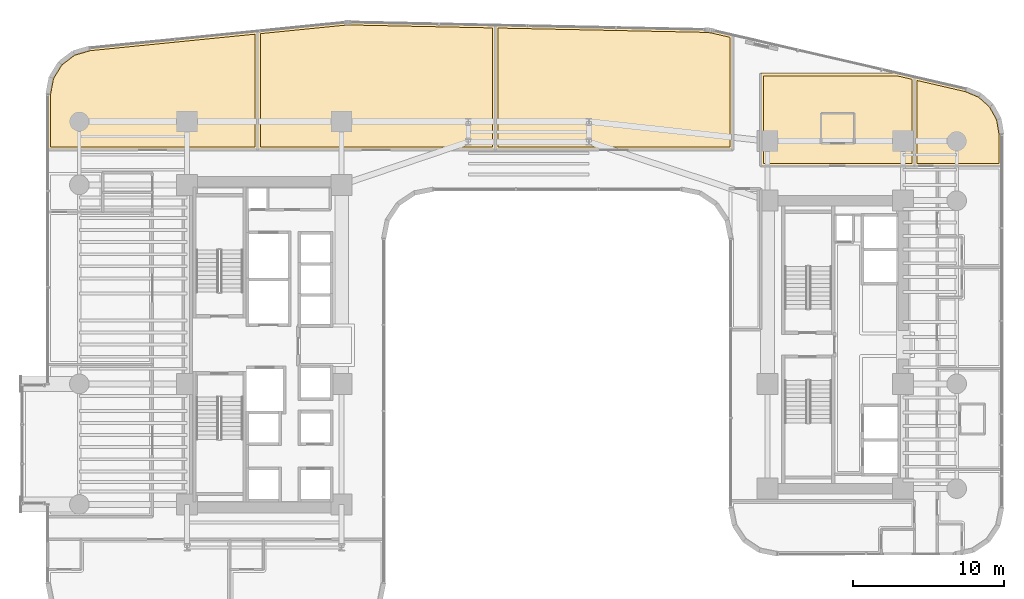
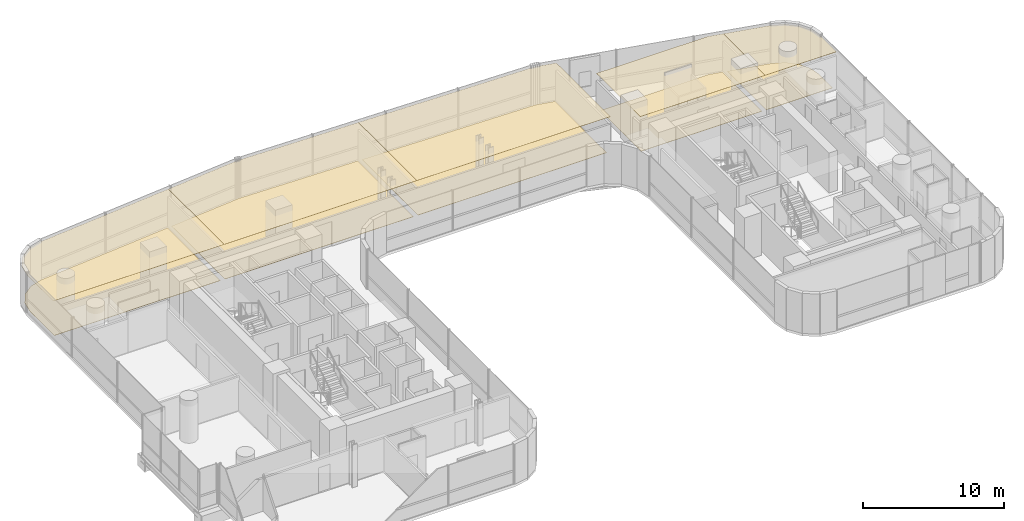
# One storey, part 40 of 40: 10 coverings.
"""IFC4 building model written with IfcOpenShell, lengths in metres."""

from ifc_helpers import new_model, si_unit, direction, frame, origin, place, context, subcontext, project, spatial, polyline, outline, extrude, material, layer, layer_set, type_object, element, save


model = new_model("IFC4")

# Units and contexts
model_context = context("Model", 3, precision=1e-05, world=origin(), true_north=direction((0.0, 1.0)))
body_context = subcontext(model_context, "Body", "Model", "MODEL_VIEW")
ifc_project = project(units=[si_unit("LENGTHUNIT", "METRE"), si_unit("AREAUNIT", "SQUARE_METRE"), si_unit("VOLUMEUNIT", "CUBIC_METRE"), si_unit("PLANEANGLEUNIT", "RADIAN"), si_unit("MASSUNIT", "GRAM", prefix="KILO")], contexts=[model_context])

# Site, building, storey
site_placement = place(None, origin())
site = spatial("IfcSite", under=ifc_project, at=site_placement, CompositionType="ELEMENT")
building_placement = place(site_placement, origin())
building = spatial("IfcBuilding", under=site, at=building_placement, Name="Valdorenza Pilgrim Sanctuary Tower", CompositionType="ELEMENT")
storey_placement = place(building_placement, frame((0.0, 0.0, 66.699951171875)))
storey = spatial("IfcBuildingStorey", under=building, at=storey_placement, Name="L16", CompositionType="ELEMENT", Elevation=66.699951171875)

# Coverings
ifc_material_1 = material(Name="Micro-perforated acoustic mineral ceiling tile", Category="gypsum")
ifc_layer_1 = layer(ifc_material_1, 0.02490234375, Name="Micro-perforated acoustic mineral ceiling tile")
ifc_layer_set_1 = layer_set([ifc_layer_1], Name="Micro-perforated acoustic mineral ceiling tile")
covering_type_1 = type_object("IfcCoveringType", Name="COV-CLG-ACU", PredefinedType="CEILING", material=ifc_layer_set_1)
covering_1_placement = place(storey_placement, frame((0.0, 0.0, 3.16015625)))
element("IfcCovering", 1, at=covering_1_placement, inside=storey, type_object=covering_type_1, Name="L16 Sacred Art Exhibition Gallery L16-NG1 Acoustic Ceiling", PredefinedType="CEILING", context=body_context, shape_type="SweptSolid", body=[
    extrude(outline(polyline([(-31.889892578125, 12.905029296875), (-31.8916015625, 12.905029296875), (-31.892822265625, 12.9052734375), (-31.894287109375, 12.905517578125), (-31.895751953125, 12.906005859375), (-31.897216796875, 12.90673828125), (-31.898193359375, 12.907470703125), (-31.8994140625, 12.908447265625), (-31.900634765625, 12.909423828125), (-31.901611328125, 12.910400390625), (-31.902587890625, 12.91162109375), (-31.9033203125, 12.912841796875), (-31.90380859375, 12.914306640625), (-31.904296875, 12.91552734375), (-31.90478515625, 12.9169921875), (-31.90478515625, 12.91845703125), (-31.905029296875, 12.919921875), (-31.905029296875, 16.593994140625), (-31.90478515625, 16.59521484375), (-31.90478515625, 16.5966796875), (-31.6962890625, 17.717041015625), (-31.696044921875, 17.718505859375), (-31.695556640625, 17.7197265625), (-31.695068359375, 17.720947265625), (-31.6943359375, 17.72216796875), (-31.102294921875, 18.68408203125), (-31.1015625, 18.685302734375), (-31.100830078125, 18.686279296875), (-31.099853515625, 18.687255859375), (-31.0986328125, 18.688232421875), (-30.20068359375, 19.372802734375), (-30.199462890625, 19.37353515625), (-30.1982421875, 19.374267578125), (-30.197021484375, 19.374755859375), (-30.19580078125, 19.375244140625), (-29.1015625, 19.694091796875), (-29.10009765625, 19.694580078125), (-29.098876953125, 19.694580078125), (-17.978271484375, 20.806640625), (-17.976806640625, 20.806884765625), (-17.97509765625, 20.806640625), (-17.973876953125, 20.806396484375), (-17.972412109375, 20.80615234375), (-17.970947265625, 20.8056640625), (-17.969482421875, 20.804931640625), (-17.968505859375, 20.80419921875), (-17.96728515625, 20.803466796875), (-17.966064453125, 20.802490234375), (-17.965087890625, 20.80126953125), (-17.964111328125, 20.800048828125), (-17.96337890625, 20.798828125), (-17.962890625, 20.797607421875), (-17.96240234375, 20.796142578125), (-17.9619140625, 20.794677734375), (-17.9619140625, 20.793212890625), (-17.961669921875, 20.791748046875), (-17.961669921875, 12.919921875), (-17.9619140625, 12.91845703125), (-17.9619140625, 12.9169921875), (-17.96240234375, 12.91552734375), (-17.962890625, 12.914306640625), (-17.96337890625, 12.912841796875), (-17.964111328125, 12.91162109375), (-17.965087890625, 12.910400390625), (-17.966064453125, 12.909423828125), (-17.96728515625, 12.908447265625), (-17.968505859375, 12.907470703125), (-17.969482421875, 12.90673828125), (-17.970947265625, 12.906005859375), (-17.972412109375, 12.905517578125), (-17.973876953125, 12.9052734375), (-17.97509765625, 12.905029296875), (-17.976806640625, 12.905029296875), (-31.889892578125, 12.905029296875)])), origin(), (0.0, 0.0, 1.0), 0.02490234375),
])
covering_2_placement = place(storey_placement, frame((0.0, 0.0, 3.16015625)))
element("IfcCovering", 2, at=covering_2_placement, inside=storey, type_object=covering_type_1, Name="L16 Sacred Art Exhibition Gallery L16-NG2 Acoustic Ceiling", PredefinedType="CEILING", context=body_context, shape_type="SweptSolid", body=[
    extrude(outline(polyline([(-17.98974609375, 20.791748046875), (-17.98974609375, 20.792724609375), (-17.989501953125, 20.794189453125), (-17.9892578125, 20.7958984375), (-17.98876953125, 20.79736328125), (-17.98828125, 20.798583984375), (-17.9873046875, 20.800048828125), (-17.986572265625, 20.80126953125), (-17.985595703125, 20.802490234375), (-17.984375, 20.803466796875), (-17.983154296875, 20.80419921875), (-17.98193359375, 20.80517578125), (-17.980712890625, 20.805908203125), (-17.979248046875, 20.806396484375), (-17.977783203125, 20.806640625), (-17.976318359375, 20.806884765625), (-12.18359375, 21.38623046875), (-12.183349609375, 21.38623046875), (-12.089599609375, 21.39404296875), (-12.089111328125, 21.39404296875), (-11.996337890625, 21.399169921875), (-11.995849609375, 21.3994140625), (-11.902587890625, 21.401611328125), (-11.90234375, 21.401611328125), (-11.808349609375, 21.40087890625), (-11.80810546875, 21.40087890625), (-2.212890625, 21.201171875), (-2.21142578125, 21.200927734375), (-2.210205078125, 21.20068359375), (-2.208740234375, 21.200439453125), (-2.207275390625, 21.199951171875), (-2.2060546875, 21.19921875), (-2.204833984375, 21.198486328125), (-2.20361328125, 21.197509765625), (-2.20263671875, 21.196533203125), (-2.20166015625, 21.195556640625), (-2.20068359375, 21.1943359375), (-2.199951171875, 21.193115234375), (-2.199462890625, 21.19189453125), (-2.198974609375, 21.1904296875), (-2.198486328125, 21.18896484375), (-2.198486328125, 21.1875), (-2.1982421875, 21.18603515625), (-2.1982421875, 12.919921875), (-2.198486328125, 12.91845703125), (-2.198486328125, 12.9169921875), (-2.198974609375, 12.91552734375), (-2.199462890625, 12.914306640625), (-2.2001953125, 12.912841796875), (-2.20068359375, 12.91162109375), (-2.20166015625, 12.910400390625), (-2.20263671875, 12.909423828125), (-2.203857421875, 12.908447265625), (-2.205078125, 12.907470703125), (-2.206298828125, 12.90673828125), (-2.20751953125, 12.906005859375), (-2.208984375, 12.905517578125), (-2.21044921875, 12.9052734375), (-2.2119140625, 12.905029296875), (-2.21337890625, 12.905029296875), (-17.974609375, 12.905029296875), (-17.976318359375, 12.905029296875), (-17.9775390625, 12.9052734375), (-17.97900390625, 12.905517578125), (-17.98046875, 12.906005859375), (-17.981689453125, 12.90673828125), (-17.98291015625, 12.907470703125), (-17.984130859375, 12.908447265625), (-17.9853515625, 12.909423828125), (-17.986328125, 12.910400390625), (-17.9873046875, 12.91162109375), (-17.98779296875, 12.912841796875), (-17.988525390625, 12.914306640625), (-17.989013671875, 12.91552734375), (-17.989501953125, 12.9169921875), (-17.989501953125, 12.91845703125), (-17.98974609375, 12.919921875), (-17.98974609375, 20.791748046875), (-17.98974609375, 20.791748046875)])), origin(), (0.0, 0.0, 1.0), 0.02490234375),
])
covering_3_placement = place(storey_placement, frame((0.0, 0.0, 3.16015625)))
element("IfcCovering", 3, at=covering_3_placement, inside=storey, type_object=covering_type_1, Name="L16 Sacred Art Exhibition Gallery L16-NG3 Acoustic Ceiling", PredefinedType="CEILING", context=body_context, shape_type="SweptSolid", body=[
    extrude(outline(polyline([(-2.211181640625, 12.905029296875), (-2.212890625, 12.905029296875), (-2.214111328125, 12.9052734375), (-2.2158203125, 12.905517578125), (-2.217041015625, 12.906005859375), (-2.218505859375, 12.90673828125), (-2.219482421875, 12.907470703125), (-2.220703125, 12.908447265625), (-2.221923828125, 12.909423828125), (-2.222900390625, 12.910400390625), (-2.223876953125, 12.91162109375), (-2.224609375, 12.912841796875), (-2.22509765625, 12.914306640625), (-2.2255859375, 12.91552734375), (-2.22607421875, 12.9169921875), (-2.226318359375, 12.91845703125), (-2.226318359375, 12.919921875), (-2.226318359375, 21.18603515625), (-2.226318359375, 21.1875), (-2.22607421875, 21.18896484375), (-2.2255859375, 21.1904296875), (-2.22509765625, 21.19189453125), (-2.224609375, 21.193115234375), (-2.2236328125, 21.194580078125), (-2.222900390625, 21.19580078125), (-2.2216796875, 21.19677734375), (-2.220703125, 21.19775390625), (-2.219482421875, 21.198486328125), (-2.21826171875, 21.199462890625), (-2.216796875, 21.199951171875), (-2.21533203125, 21.200439453125), (-2.214111328125, 21.20068359375), (-2.21240234375, 21.200927734375), (-2.2109375, 21.201171875), (11.666015625, 20.912109375), (11.66650390625, 20.911865234375), (11.82666015625, 20.904296875), (11.827392578125, 20.904296875), (11.98583984375, 20.888916015625), (11.986572265625, 20.888671875), (12.143798828125, 20.864990234375), (12.14453125, 20.864990234375), (12.302001953125, 20.832763671875), (12.30224609375, 20.832763671875), (13.553466796875, 20.5439453125), (13.5546875, 20.543701171875), (13.55615234375, 20.543212890625), (13.557373046875, 20.54248046875), (13.55859375, 20.541748046875), (13.559814453125, 20.540771484375), (13.560791015625, 20.539794921875), (13.561767578125, 20.538818359375), (13.5625, 20.53759765625), (13.563232421875, 20.536376953125), (13.56396484375, 20.534912109375), (13.564453125, 20.53369140625), (13.564697265625, 20.5322265625), (13.56494140625, 20.53076171875), (13.56494140625, 20.529296875), (13.56494140625, 12.919921875), (13.56494140625, 12.91845703125), (13.564697265625, 12.9169921875), (13.564453125, 12.91552734375), (13.56396484375, 12.914306640625), (13.563232421875, 12.912841796875), (13.5625, 12.91162109375), (13.5615234375, 12.910400390625), (13.560546875, 12.909423828125), (13.5595703125, 12.908447265625), (13.558349609375, 12.907470703125), (13.55712890625, 12.90673828125), (13.5556640625, 12.906005859375), (13.554443359375, 12.905517578125), (13.552978515625, 12.9052734375), (13.551513671875, 12.905029296875), (13.550048828125, 12.905029296875), (-2.211181640625, 12.905029296875)])), origin(), (0.0, 0.0, 1.0), 0.02490234375),
])
covering_4_placement = place(storey_placement, frame((0.0, 0.0, 3.16015625)))
element("IfcCovering", 4, at=covering_4_placement, inside=storey, type_object=covering_type_1, Name="L16 East North Guest Room L16-EN1 Acoustic Ceiling", PredefinedType="CEILING", context=body_context, shape_type="SweptSolid", body=[
    extrude(outline(polyline([(24.5107421875, 18.014892578125), (24.512451171875, 18.014892578125), (24.51416015625, 18.0146484375), (25.603515625, 17.76318359375), (25.604736328125, 17.762939453125), (25.606201171875, 17.76220703125), (25.607421875, 17.76171875), (25.608642578125, 17.760986328125), (25.609619140625, 17.760009765625), (25.61083984375, 17.759033203125), (25.61181640625, 17.758056640625), (25.612548828125, 17.7568359375), (25.61328125, 17.755615234375), (25.614013671875, 17.75439453125), (25.614501953125, 17.7529296875), (25.61474609375, 17.75146484375), (25.614990234375, 17.75), (25.614990234375, 17.74853515625), (25.614990234375, 11.85009765625), (25.614990234375, 11.848388671875), (25.61474609375, 11.84716796875), (25.614501953125, 11.845703125), (25.614013671875, 11.84423828125), (25.61328125, 11.843017578125), (25.612548828125, 11.841796875), (25.611572265625, 11.840576171875), (25.610595703125, 11.83935546875), (25.609619140625, 11.83837890625), (25.6083984375, 11.83740234375), (25.607177734375, 11.8369140625), (25.605712890625, 11.836181640625), (25.6044921875, 11.835693359375), (25.602783203125, 11.835205078125), (25.6015625, 11.835205078125), (25.60009765625, 11.8349609375), (15.39990234375, 11.8349609375), (15.3984375, 11.835205078125), (15.397216796875, 11.835205078125), (15.3955078125, 11.835693359375), (15.394287109375, 11.836181640625), (15.392822265625, 11.8369140625), (15.3916015625, 11.83740234375), (15.390380859375, 11.83837890625), (15.389404296875, 11.83935546875), (15.388427734375, 11.840576171875), (15.387451171875, 11.841796875), (15.38671875, 11.843017578125), (15.385986328125, 11.84423828125), (15.385498046875, 11.845703125), (15.38525390625, 11.84716796875), (15.385009765625, 11.848388671875), (15.385009765625, 11.85009765625), (15.385009765625, 18.0), (15.385009765625, 18.00146484375), (15.38525390625, 18.0029296875), (15.385498046875, 18.00439453125), (15.385986328125, 18.005615234375), (15.38671875, 18.007080078125), (15.387451171875, 18.00830078125), (15.388427734375, 18.009521484375), (15.389404296875, 18.010498046875), (15.390380859375, 18.01171875), (15.3916015625, 18.012451171875), (15.392822265625, 18.01318359375), (15.394287109375, 18.013916015625), (15.3955078125, 18.014404296875), (15.397216796875, 18.0146484375), (15.3984375, 18.014892578125), (15.39990234375, 18.014892578125), (24.5107421875, 18.014892578125)])), origin(), (0.0, 0.0, 1.0), 0.02490234375),
])
covering_5_placement = place(storey_placement, frame((0.0, 0.0, 3.16015625)))
element("IfcCovering", 5, at=covering_5_placement, inside=storey, type_object=covering_type_1, Name="L16 East Wing Reference Library L16-BNE Acoustic Ceiling", PredefinedType="CEILING", context=body_context, shape_type="SweptSolid", body=[
    extrude(outline(polyline([(28.9892578125, 16.98193359375), (28.990478515625, 16.981689453125), (28.99169921875, 16.981201171875), (29.95361328125, 16.580322265625), (29.955078125, 16.57958984375), (29.95654296875, 16.57861328125), (29.9580078125, 16.57763671875), (30.72705078125, 15.88818359375), (30.728271484375, 15.886962890625), (30.729248046875, 15.8857421875), (30.72998046875, 15.88427734375), (31.22900390625, 14.97998046875), (31.2294921875, 14.978271484375), (31.230224609375, 14.976806640625), (31.230712890625, 14.97509765625), (31.40478515625, 13.947509765625), (31.40478515625, 13.9462890625), (31.405029296875, 13.945068359375), (31.405029296875, 11.85009765625), (31.40478515625, 11.848388671875), (31.40478515625, 11.84716796875), (31.404296875, 11.845703125), (31.40380859375, 11.84423828125), (31.4033203125, 11.843017578125), (31.402587890625, 11.841796875), (31.401611328125, 11.840576171875), (31.400634765625, 11.83935546875), (31.3994140625, 11.83837890625), (31.398193359375, 11.83740234375), (31.397216796875, 11.8369140625), (31.395751953125, 11.836181640625), (31.394287109375, 11.835693359375), (31.392822265625, 11.835205078125), (31.3916015625, 11.835205078125), (31.389892578125, 11.8349609375), (25.60205078125, 11.8349609375), (25.6005859375, 11.835205078125), (25.59912109375, 11.835205078125), (25.59765625, 11.835693359375), (25.59619140625, 11.836181640625), (25.594970703125, 11.8369140625), (25.59375, 11.83740234375), (25.592529296875, 11.83837890625), (25.59130859375, 11.83935546875), (25.59033203125, 11.840576171875), (25.589599609375, 11.841796875), (25.5888671875, 11.843017578125), (25.588134765625, 11.84423828125), (25.587646484375, 11.845703125), (25.58740234375, 11.84716796875), (25.587158203125, 11.848388671875), (25.5869140625, 11.85009765625), (25.5869140625, 17.748291015625), (25.587158203125, 17.749755859375), (25.58740234375, 17.751220703125), (25.587646484375, 17.752685546875), (25.588134765625, 17.75390625), (25.5888671875, 17.75537109375), (25.589599609375, 17.756591796875), (25.590576171875, 17.7578125), (25.591552734375, 17.7587890625), (25.5927734375, 17.760009765625), (25.593994140625, 17.7607421875), (25.59521484375, 17.761474609375), (25.596435546875, 17.76220703125), (25.597900390625, 17.7626953125), (25.599365234375, 17.762939453125), (25.600830078125, 17.76318359375), (25.602294921875, 17.76318359375), (25.60400390625, 17.76318359375), (25.60546875, 17.7626953125), (28.9892578125, 16.98193359375)])), origin(), (0.0, 0.0, 1.0), 0.02490234375),
])
ifc_material_2 = material(Name="Engineered European oak timber flooring", Category="wood")
ifc_layer_2 = layer(ifc_material_2, 0.02197265625, Name="Engineered European oak timber flooring")
ifc_layer_set_2 = layer_set([ifc_layer_2], Name="Engineered European oak timber flooring")
covering_type_2 = type_object("IfcCoveringType", Name="COV-FLR-OAK", PredefinedType="FLOORING", material=ifc_layer_set_2)
covering_6_placement = place(storey_placement, origin())
element("IfcCovering", 6, at=covering_6_placement, inside=storey, type_object=covering_type_2, Name="L16 East North Guest Room L16-EN1 Flooring", PredefinedType="FLOORING", context=body_context, shape_type="SweptSolid", body=[
    extrude(outline(polyline([(24.490234375, 17.820068359375), (25.419921875, 17.60546875), (25.419921875, 12.030029296875), (15.580078125, 12.030029296875), (15.580078125, 17.820068359375), (24.490234375, 17.820068359375)])), origin(), (0.0, 0.0, 1.0), 0.025146484375),
])
ifc_material_3 = material(Name="Honed travertine stone flooring", Category="masonry")
ifc_layer_3 = layer(ifc_material_3, 0.030029296875, Name="Honed travertine stone flooring")
ifc_layer_set_3 = layer_set([ifc_layer_3], Name="Honed travertine stone flooring")
covering_type_3 = type_object("IfcCoveringType", Name="COV-FLR-TRV", PredefinedType="FLOORING", material=ifc_layer_set_3)
covering_7_placement = place(storey_placement, origin())
element("IfcCovering", 7, at=covering_7_placement, inside=storey, type_object=covering_type_3, Name="L16 Sacred Art Exhibition Gallery L16-NG1 Flooring", PredefinedType="FLOORING", context=body_context, shape_type="SweptSolid", body=[
    extrude(outline(polyline([(-31.7099609375, 13.10009765625), (-31.7099609375, 16.577392578125), (-31.5107421875, 17.6484375), (-30.953857421875, 18.553466796875), (-30.109130859375, 19.197509765625), (-29.06298828125, 19.502197265625), (-18.15673828125, 20.593017578125), (-18.15673828125, 13.10009765625), (-31.7099609375, 13.10009765625)])), origin(), (0.0, 0.0, 1.0), 0.025146484375),
])
covering_8_placement = place(storey_placement, origin())
element("IfcCovering", 8, at=covering_8_placement, inside=storey, type_object=covering_type_3, Name="L16 Sacred Art Exhibition Gallery L16-NG2 Flooring", PredefinedType="FLOORING", context=body_context, shape_type="SweptSolid", body=[
    extrude(outline(polyline([(-17.794677734375, 13.10009765625), (-17.794677734375, 20.62890625), (-12.16552734375, 21.19189453125), (-12.07568359375, 21.19970703125), (-11.98828125, 21.204345703125), (-11.900634765625, 21.20654296875), (-11.810791015625, 21.2060546875), (-2.393310546875, 21.009765625), (-2.393310546875, 13.10009765625), (-17.794677734375, 13.10009765625)])), origin(), (0.0, 0.0, 1.0), 0.025146484375),
])
covering_9_placement = place(storey_placement, origin())
element("IfcCovering", 9, at=covering_9_placement, inside=storey, type_object=covering_type_3, Name="L16 Sacred Art Exhibition Gallery L16-NG3 Flooring", PredefinedType="FLOORING", context=body_context, shape_type="SweptSolid", body=[
    extrude(outline(polyline([(-2.03125, 13.10009765625), (-2.03125, 21.002197265625), (11.65966796875, 20.717041015625), (11.81298828125, 20.7099609375), (11.962158203125, 20.6953125), (12.110107421875, 20.6728515625), (12.2607421875, 20.64208984375), (13.3701171875, 20.38623046875), (13.3701171875, 13.10009765625), (-2.03125, 13.10009765625)])), origin(), (0.0, 0.0, 1.0), 0.025146484375),
])
covering_10_placement = place(storey_placement, origin())
element("IfcCovering", 10, at=covering_10_placement, inside=storey, type_object=covering_type_3, Name="L16 East Wing Reference Library L16-BNE Flooring", PredefinedType="FLOORING", context=body_context, shape_type="SweptSolid", body=[
    extrude(outline(polyline([(28.9306640625, 16.79541015625), (29.8505859375, 16.412109375), (30.57421875, 15.763427734375), (31.04345703125, 14.912353515625), (31.2099609375, 13.929931640625), (31.2099609375, 12.030029296875), (25.781982421875, 12.030029296875), (25.781982421875, 17.52197265625), (28.9306640625, 16.79541015625)])), origin(), (0.0, 0.0, 1.0), 0.025146484375),
])

save(model, "model.ifc")
